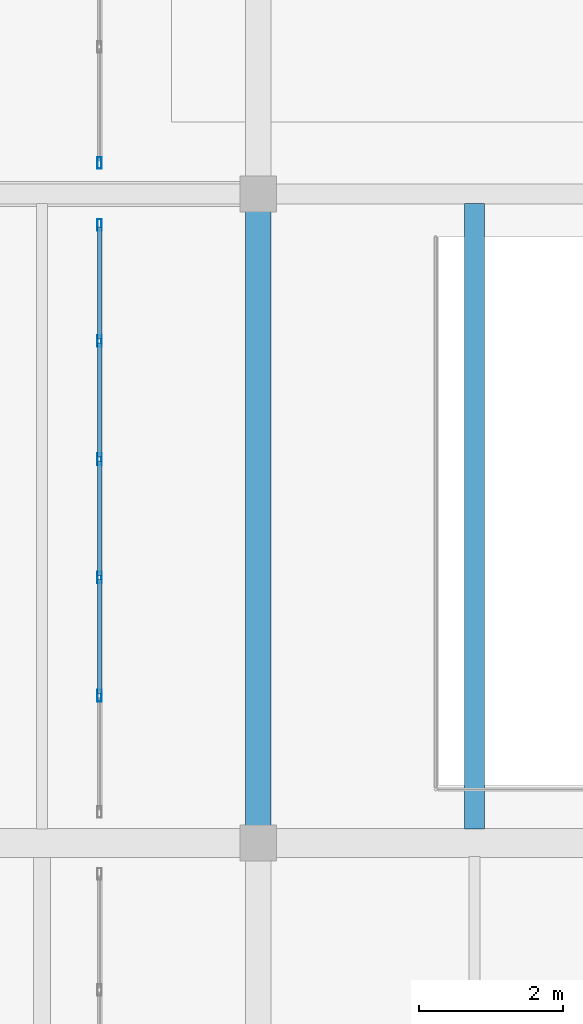
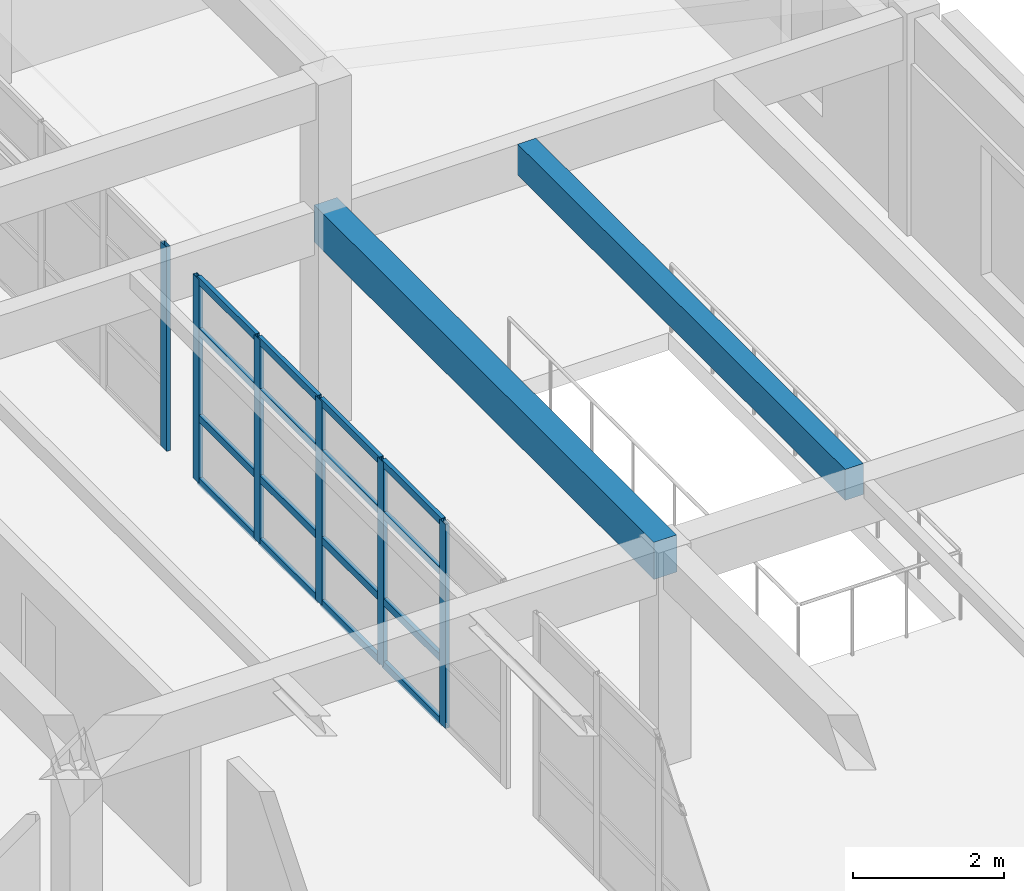
# One storey, part 19 of 156: 22 members, 2 beams, 2 elements without a shape of their own.
"""IFC4 building model written with IfcOpenShell, lengths in metres."""

from ifc_helpers import new_model, si_unit, direction, frame, origin, origin_2d, place, context, subcontext, project, spatial, rectangle, hollow_rectangle, extrude, material, layer, layer_set, material_profile, profile_set, type_object, element, aggregate, save


model = new_model("IFC4")

# Units and contexts
model_context = context("Model", 3, precision=1e-05, world=origin(), true_north=direction((0.0, 1.0)))
body_context = subcontext(model_context, "Body", "Model", "MODEL_VIEW")
ifc_project = project(units=[si_unit("LENGTHUNIT", "METRE"), si_unit("AREAUNIT", "SQUARE_METRE"), si_unit("VOLUMEUNIT", "CUBIC_METRE"), si_unit("PLANEANGLEUNIT", "RADIAN"), si_unit("MASSUNIT", "GRAM", prefix="KILO")], contexts=[model_context])

# Site, building, storey
site_placement = place(None, origin())
site = spatial("IfcSite", under=ifc_project, at=site_placement, CompositionType="ELEMENT")
building_placement = place(site_placement, origin())
building = spatial("IfcBuilding", under=site, at=building_placement, Name="Ornek Quay Market", CompositionType="ELEMENT")
storey_placement = place(building_placement, frame((0.0, 0.0, 4.5)))
storey = spatial("IfcBuildingStorey", under=building, at=storey_placement, Name="L01", CompositionType="ELEMENT", Elevation=4.5)

# Beams
ifc_material_1 = material(Name="Concrete C35/45", Category="concrete")
ifc_material_profile_1 = material_profile(ifc_material_1, rectangle(XDim=0.35009765625, YDim=0.60009765625, at=origin_2d()), Name="RC 350x600", Category="concrete")
ifc_profile_set_1 = profile_set([ifc_material_profile_1], Name="Concrete C35/45")
beam_type_1 = type_object("IfcBeamType", Name="BM-RF-350x600", PredefinedType="BEAM", material=ifc_profile_set_1)
beam_1_placement = place(storey_placement, frame((18.0, 56.0, 3.179931640625), z_axis=(0.0, 1.0, 0.0), x_axis=(-1.0, 0.0, 0.0)))
element("IfcBeam", 1, at=beam_1_placement, inside=storey, type_object=beam_type_1, Name="Primary beam B-RF1-010", PredefinedType="BEAM", context=body_context, shape_type="SweptSolid", body=[
    extrude(rectangle(XDim=0.35009765625, YDim=0.60009765625, at=origin_2d()), origin(), (0.0, 0.0, 1.0), 9.0),
])
ifc_material_profile_2 = material_profile(ifc_material_1, rectangle(XDim=0.280029296875, YDim=0.5, at=origin_2d()), Name="RC 280x500", Category="concrete")
ifc_profile_set_2 = profile_set([ifc_material_profile_2], Name="Concrete C35/45")
beam_type_2 = type_object("IfcBeamType", Name="BM-SEC-280x500", PredefinedType="JOIST", material=ifc_profile_set_2)
beam_2_placement = place(storey_placement, frame((21.0, 56.19189453125, 3.22998046875), z_axis=(0.0, 1.0, 0.0), x_axis=(-1.0, 0.0, 0.0)))
element("IfcBeam", 2, at=beam_2_placement, inside=storey, type_object=beam_type_2, Name="Secondary joist B-SC2-037", PredefinedType="JOIST", context=body_context, shape_type="SweptSolid", body=[
    extrude(rectangle(XDim=0.280029296875, YDim=0.5, at=origin_2d()), origin(), (0.0, 0.0, 1.0), 8.676025390625),
])

# Curtain wall, members
ifc_material_2 = material(Name="Anodised bronze aluminium and triple low-e glass", Category="aluminium")
ifc_layer = layer(ifc_material_2, 0.179931640625, Name="Anodised bronze aluminium and triple low-e glass", Category="aluminium")
ifc_layer_set = layer_set([ifc_layer], Name="Anodised bronze aluminium and triple low-e glass")
curtain_wall_type = type_object("IfcCurtainWallType", Name="CW-CONC-MOD1500", PredefinedType="USERDEFINED", material=ifc_layer_set)
curtain_wall_1_placement = place(storey_placement, origin())
curtain_wall_1 = element("IfcCurtainWall", 3, at=curtain_wall_1_placement, inside=storey, type_object=curtain_wall_type, Name="Curtain wall CW-139", ObjectType="CURTAIN WALL", PredefinedType="USERDEFINED")
ifc_material_3 = material(Name="Anodised aluminium 6063-T6", Category="aluminium")
ifc_material_profile_3 = material_profile(ifc_material_3, hollow_rectangle(XDim=0.06005859375, YDim=0.159912109375, WallThickness=0.00390625, at=origin_2d()), Name="CW-MUL-60x160", Category="aluminium")
ifc_profile_set_3 = profile_set([ifc_material_profile_3], Name="Anodised aluminium 6063-T6")
member_type_1 = type_object("IfcMemberType", Name="CW-MUL-60x160", PredefinedType="MULLION", material=ifc_profile_set_3)
member_1_placement = place(storey_placement, frame((15.800048828125, 58.0400390625, 0.0), z_axis=(0.0, 0.0, 1.0), x_axis=(-1.0, 0.0, 0.0)))
member_1 = element("IfcMember", 4, at=member_1_placement, type_object=member_type_1, Name="CW-139 mullion 2", PredefinedType="MULLION", context=body_context, shape_type="SweptSolid", body=[
    extrude(hollow_rectangle(XDim=0.06005859375, YDim=0.159912109375, WallThickness=0.00390625, at=origin_2d()), origin(), (0.0, 0.0, 1.0), 3.300048828125),
])
member_2_placement = place(storey_placement, frame((15.800048828125, 59.679931640625, 0.0), z_axis=(0.0, 0.0, 1.0), x_axis=(-1.0, 0.0, 0.0)))
member_2 = element("IfcMember", 5, at=member_2_placement, type_object=member_type_1, Name="CW-139 mullion 3", PredefinedType="MULLION", context=body_context, shape_type="SweptSolid", body=[
    extrude(hollow_rectangle(XDim=0.06005859375, YDim=0.159912109375, WallThickness=0.00390625, at=origin_2d()), origin(), (0.0, 0.0, 1.0), 3.300048828125),
])
member_3_placement = place(storey_placement, frame((15.800048828125, 61.320068359375, 0.0), z_axis=(0.0, 0.0, 1.0), x_axis=(-1.0, 0.0, 0.0)))
member_3 = element("IfcMember", 6, at=member_3_placement, type_object=member_type_1, Name="CW-139 mullion 4", PredefinedType="MULLION", context=body_context, shape_type="SweptSolid", body=[
    extrude(hollow_rectangle(XDim=0.06005859375, YDim=0.159912109375, WallThickness=0.00390625, at=origin_2d()), origin(), (0.0, 0.0, 1.0), 3.300048828125),
])
member_4_placement = place(storey_placement, frame((15.800048828125, 62.9599609375, 0.0), z_axis=(0.0, 0.0, 1.0), x_axis=(-1.0, 0.0, 0.0)))
member_4 = element("IfcMember", 7, at=member_4_placement, type_object=member_type_1, Name="CW-139 mullion 5", PredefinedType="MULLION", context=body_context, shape_type="SweptSolid", body=[
    extrude(hollow_rectangle(XDim=0.06005859375, YDim=0.159912109375, WallThickness=0.00390625, at=origin_2d()), origin(), (0.0, 0.0, 1.0), 3.300048828125),
])
member_5_placement = place(storey_placement, frame((15.800048828125, 64.570068359375, 0.0), z_axis=(0.0, 0.0, 1.0), x_axis=(-1.0, 0.0, 0.0)))
member_5 = element("IfcMember", 8, at=member_5_placement, type_object=member_type_1, Name="CW-139 mullion 6", PredefinedType="MULLION", context=body_context, shape_type="SweptSolid", body=[
    extrude(hollow_rectangle(XDim=0.06005859375, YDim=0.159912109375, WallThickness=0.00390625, at=origin_2d()), origin(), (0.0, 0.0, 1.0), 3.300048828125),
])

# Curtain wall, member
curtain_wall_2_placement = place(storey_placement, origin())
curtain_wall_2 = element("IfcCurtainWall", 9, at=curtain_wall_2_placement, inside=storey, type_object=curtain_wall_type, Name="Curtain wall CW-141", ObjectType="CURTAIN WALL", PredefinedType="USERDEFINED")
member_6_placement = place(storey_placement, frame((15.800048828125, 65.429931640625, 0.0), z_axis=(0.0, 0.0, 1.0), x_axis=(-1.0, 0.0, 0.0)))
member_6 = element("IfcMember", 10, at=member_6_placement, type_object=member_type_1, Name="CW-141 mullion 1", PredefinedType="MULLION", context=body_context, shape_type="SweptSolid", body=[
    extrude(hollow_rectangle(XDim=0.06005859375, YDim=0.159912109375, WallThickness=0.00390625, at=origin_2d()), origin(), (0.0, 0.0, 1.0), 3.300048828125),
])
aggregate(curtain_wall_2, [member_6])

# Member
ifc_material_profile_4 = material_profile(ifc_material_3, hollow_rectangle(XDim=0.06005859375, YDim=0.1201171875, WallThickness=0.00390625, at=origin_2d()), Name="CW-TRN-60x120", Category="aluminium")
ifc_profile_set_4 = profile_set([ifc_material_profile_4], Name="Anodised aluminium 6063-T6")
member_type_2 = type_object("IfcMemberType", Name="CW-TRN-60x120", PredefinedType="USERDEFINED", material=ifc_profile_set_4)
member_7_placement = place(storey_placement, frame((15.800048828125, 58.070068359375, 0.030029296875), z_axis=(0.0, 1.0, 0.0), x_axis=(-1.0, 0.0, 0.0)))
member_7 = element("IfcMember", 11, at=member_7_placement, type_object=member_type_2, Name="CW-139 transom 2.1", ObjectType="TRANSOM", PredefinedType="USERDEFINED", context=body_context, shape_type="SweptSolid", body=[
    extrude(hollow_rectangle(XDim=0.06005859375, YDim=0.1201171875, WallThickness=0.00390625, at=origin_2d()), origin(), (0.0, 0.0, 1.0), 1.579833984375),
])

member_8_placement = place(storey_placement, frame((15.800048828125, 58.070068359375, 1.050048828125), z_axis=(0.0, 1.0, 0.0), x_axis=(-1.0, 0.0, 0.0)))
member_8 = element("IfcMember", 12, at=member_8_placement, type_object=member_type_2, Name="CW-139 transom 2.2", ObjectType="TRANSOM", PredefinedType="USERDEFINED", context=body_context, shape_type="SweptSolid", body=[
    extrude(hollow_rectangle(XDim=0.06005859375, YDim=0.1201171875, WallThickness=0.00390625, at=origin_2d()), origin(), (0.0, 0.0, 1.0), 1.579833984375),
])

member_9_placement = place(storey_placement, frame((15.800048828125, 58.070068359375, 2.449951171875), z_axis=(0.0, 1.0, 0.0), x_axis=(-1.0, 0.0, 0.0)))
member_9 = element("IfcMember", 13, at=member_9_placement, type_object=member_type_2, Name="CW-139 transom 2.3", ObjectType="TRANSOM", PredefinedType="USERDEFINED", context=body_context, shape_type="SweptSolid", body=[
    extrude(hollow_rectangle(XDim=0.06005859375, YDim=0.1201171875, WallThickness=0.00390625, at=origin_2d()), origin(), (0.0, 0.0, 1.0), 1.579833984375),
])

member_10_placement = place(storey_placement, frame((15.800048828125, 58.070068359375, 3.27001953125), z_axis=(0.0, 1.0, 0.0), x_axis=(-1.0, 0.0, 0.0)))
member_10 = element("IfcMember", 14, at=member_10_placement, type_object=member_type_2, Name="CW-139 transom 2.4", ObjectType="TRANSOM", PredefinedType="USERDEFINED", context=body_context, shape_type="SweptSolid", body=[
    extrude(hollow_rectangle(XDim=0.06005859375, YDim=0.1201171875, WallThickness=0.00390625, at=origin_2d()), origin(), (0.0, 0.0, 1.0), 1.579833984375),
])

member_11_placement = place(storey_placement, frame((15.800048828125, 59.7099609375, 0.030029296875), z_axis=(0.0, 1.0, 0.0), x_axis=(-1.0, 0.0, 0.0)))
member_11 = element("IfcMember", 15, at=member_11_placement, type_object=member_type_2, Name="CW-139 transom 3.1", ObjectType="TRANSOM", PredefinedType="USERDEFINED", context=body_context, shape_type="SweptSolid", body=[
    extrude(hollow_rectangle(XDim=0.06005859375, YDim=0.1201171875, WallThickness=0.00390625, at=origin_2d()), origin(), (0.0, 0.0, 1.0), 1.580078125),
])

member_12_placement = place(storey_placement, frame((15.800048828125, 59.7099609375, 1.050048828125), z_axis=(0.0, 1.0, 0.0), x_axis=(-1.0, 0.0, 0.0)))
member_12 = element("IfcMember", 16, at=member_12_placement, type_object=member_type_2, Name="CW-139 transom 3.2", ObjectType="TRANSOM", PredefinedType="USERDEFINED", context=body_context, shape_type="SweptSolid", body=[
    extrude(hollow_rectangle(XDim=0.06005859375, YDim=0.1201171875, WallThickness=0.00390625, at=origin_2d()), origin(), (0.0, 0.0, 1.0), 1.580078125),
])

member_13_placement = place(storey_placement, frame((15.800048828125, 59.7099609375, 2.449951171875), z_axis=(0.0, 1.0, 0.0), x_axis=(-1.0, 0.0, 0.0)))
member_13 = element("IfcMember", 17, at=member_13_placement, type_object=member_type_2, Name="CW-139 transom 3.3", ObjectType="TRANSOM", PredefinedType="USERDEFINED", context=body_context, shape_type="SweptSolid", body=[
    extrude(hollow_rectangle(XDim=0.06005859375, YDim=0.1201171875, WallThickness=0.00390625, at=origin_2d()), origin(), (0.0, 0.0, 1.0), 1.580078125),
])

member_14_placement = place(storey_placement, frame((15.800048828125, 59.7099609375, 3.27001953125), z_axis=(0.0, 1.0, 0.0), x_axis=(-1.0, 0.0, 0.0)))
member_14 = element("IfcMember", 18, at=member_14_placement, type_object=member_type_2, Name="CW-139 transom 3.4", ObjectType="TRANSOM", PredefinedType="USERDEFINED", context=body_context, shape_type="SweptSolid", body=[
    extrude(hollow_rectangle(XDim=0.06005859375, YDim=0.1201171875, WallThickness=0.00390625, at=origin_2d()), origin(), (0.0, 0.0, 1.0), 1.580078125),
])

member_15_placement = place(storey_placement, frame((15.800048828125, 61.35009765625, 0.030029296875), z_axis=(0.0, 1.0, 0.0), x_axis=(-1.0, 0.0, 0.0)))
member_15 = element("IfcMember", 19, at=member_15_placement, type_object=member_type_2, Name="CW-139 transom 4.1", ObjectType="TRANSOM", PredefinedType="USERDEFINED", context=body_context, shape_type="SweptSolid", body=[
    extrude(hollow_rectangle(XDim=0.06005859375, YDim=0.1201171875, WallThickness=0.00390625, at=origin_2d()), origin(), (0.0, 0.0, 1.0), 1.579833984375),
])

member_16_placement = place(storey_placement, frame((15.800048828125, 61.35009765625, 1.050048828125), z_axis=(0.0, 1.0, 0.0), x_axis=(-1.0, 0.0, 0.0)))
member_16 = element("IfcMember", 20, at=member_16_placement, type_object=member_type_2, Name="CW-139 transom 4.2", ObjectType="TRANSOM", PredefinedType="USERDEFINED", context=body_context, shape_type="SweptSolid", body=[
    extrude(hollow_rectangle(XDim=0.06005859375, YDim=0.1201171875, WallThickness=0.00390625, at=origin_2d()), origin(), (0.0, 0.0, 1.0), 1.579833984375),
])

member_17_placement = place(storey_placement, frame((15.800048828125, 61.35009765625, 2.449951171875), z_axis=(0.0, 1.0, 0.0), x_axis=(-1.0, 0.0, 0.0)))
member_17 = element("IfcMember", 21, at=member_17_placement, type_object=member_type_2, Name="CW-139 transom 4.3", ObjectType="TRANSOM", PredefinedType="USERDEFINED", context=body_context, shape_type="SweptSolid", body=[
    extrude(hollow_rectangle(XDim=0.06005859375, YDim=0.1201171875, WallThickness=0.00390625, at=origin_2d()), origin(), (0.0, 0.0, 1.0), 1.579833984375),
])

member_18_placement = place(storey_placement, frame((15.800048828125, 61.35009765625, 3.27001953125), z_axis=(0.0, 1.0, 0.0), x_axis=(-1.0, 0.0, 0.0)))
member_18 = element("IfcMember", 22, at=member_18_placement, type_object=member_type_2, Name="CW-139 transom 4.4", ObjectType="TRANSOM", PredefinedType="USERDEFINED", context=body_context, shape_type="SweptSolid", body=[
    extrude(hollow_rectangle(XDim=0.06005859375, YDim=0.1201171875, WallThickness=0.00390625, at=origin_2d()), origin(), (0.0, 0.0, 1.0), 1.579833984375),
])

member_19_placement = place(storey_placement, frame((15.800048828125, 62.989990234375, 0.030029296875), z_axis=(0.0, 1.0, 0.0), x_axis=(-1.0, 0.0, 0.0)))
member_19 = element("IfcMember", 23, at=member_19_placement, type_object=member_type_2, Name="CW-139 transom 5.1", ObjectType="TRANSOM", PredefinedType="USERDEFINED", context=body_context, shape_type="SweptSolid", body=[
    extrude(hollow_rectangle(XDim=0.06005859375, YDim=0.1201171875, WallThickness=0.00390625, at=origin_2d()), origin(), (0.0, 0.0, 1.0), 1.550048828125),
])

member_20_placement = place(storey_placement, frame((15.800048828125, 62.989990234375, 1.050048828125), z_axis=(0.0, 1.0, 0.0), x_axis=(-1.0, 0.0, 0.0)))
member_20 = element("IfcMember", 24, at=member_20_placement, type_object=member_type_2, Name="CW-139 transom 5.2", ObjectType="TRANSOM", PredefinedType="USERDEFINED", context=body_context, shape_type="SweptSolid", body=[
    extrude(hollow_rectangle(XDim=0.06005859375, YDim=0.1201171875, WallThickness=0.00390625, at=origin_2d()), origin(), (0.0, 0.0, 1.0), 1.550048828125),
])

member_21_placement = place(storey_placement, frame((15.800048828125, 62.989990234375, 2.449951171875), z_axis=(0.0, 1.0, 0.0), x_axis=(-1.0, 0.0, 0.0)))
member_21 = element("IfcMember", 25, at=member_21_placement, type_object=member_type_2, Name="CW-139 transom 5.3", ObjectType="TRANSOM", PredefinedType="USERDEFINED", context=body_context, shape_type="SweptSolid", body=[
    extrude(hollow_rectangle(XDim=0.06005859375, YDim=0.1201171875, WallThickness=0.00390625, at=origin_2d()), origin(), (0.0, 0.0, 1.0), 1.550048828125),
])

member_22_placement = place(storey_placement, frame((15.800048828125, 62.989990234375, 3.27001953125), z_axis=(0.0, 1.0, 0.0), x_axis=(-1.0, 0.0, 0.0)))
member_22 = element("IfcMember", 26, at=member_22_placement, type_object=member_type_2, Name="CW-139 transom 5.4", ObjectType="TRANSOM", PredefinedType="USERDEFINED", context=body_context, shape_type="SweptSolid", body=[
    extrude(hollow_rectangle(XDim=0.06005859375, YDim=0.1201171875, WallThickness=0.00390625, at=origin_2d()), origin(), (0.0, 0.0, 1.0), 1.550048828125),
])

aggregate(curtain_wall_1, [member_1, member_2, member_3, member_4, member_5, member_7, member_8, member_9, member_10, member_11, member_12, member_13, member_14, member_15, member_16, member_17, member_18, member_19, member_20, member_21, member_22])

save(model, "model.ifc")
